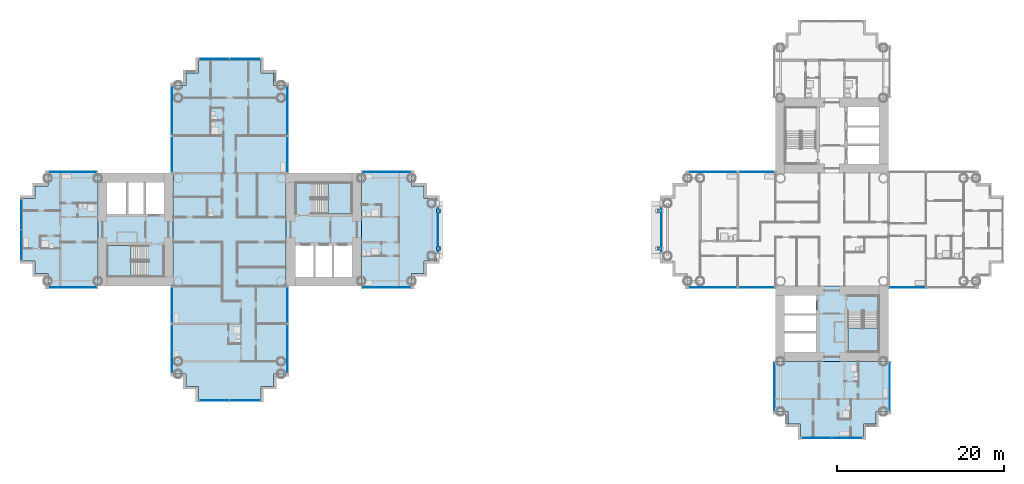
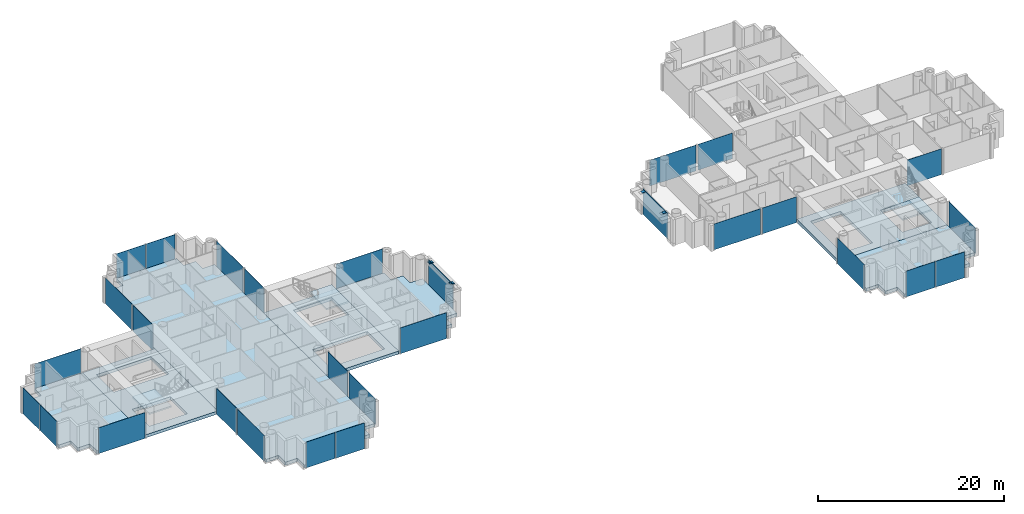
# One storey, part 7 of 22: 29 plates, 10 slabs, 6 members, 28 elements without a shape of their own.
"""IFC4 building model written with IfcOpenShell, lengths in metres."""

from ifc_helpers import new_model, si_unit, direction, frame, origin, origin_2d, place, context, subcontext, project, spatial, polyline, rectangle, outline, extrude, material, layer, layer_set, type_object, element, aggregate, save


model = new_model("IFC4")

# Units and contexts
model_context = context("Model", 3, precision=1e-05, world=origin(), true_north=direction((0.0, 1.0)))
body_context = subcontext(model_context, "Body", "Model", "MODEL_VIEW")
ifc_project = project(units=[si_unit("LENGTHUNIT", "METRE"), si_unit("AREAUNIT", "SQUARE_METRE"), si_unit("VOLUMEUNIT", "CUBIC_METRE"), si_unit("PLANEANGLEUNIT", "RADIAN"), si_unit("MASSUNIT", "GRAM", prefix="KILO")], contexts=[model_context])

# Site, building, storey
site_placement = place(None, origin())
site = spatial("IfcSite", under=ifc_project, at=site_placement, CompositionType="ELEMENT")
building_placement = place(site_placement, origin())
building = spatial("IfcBuilding", under=site, at=building_placement, Name="Ipe Terrace Towers", CompositionType="ELEMENT")
storey_placement = place(building_placement, frame((0.0, 0.0, 68.699951171875)))
storey = spatial("IfcBuildingStorey", under=building, at=storey_placement, Name="L18", CompositionType="ELEMENT", Elevation=68.699951171875)

# Members
ifc_material_1 = material(Name="Steel S355", Category="steel")
member_type_1 = type_object("IfcMemberType", Name="BRIDGE-FIXED BASE PLATE 500x450x20", PredefinedType="PLATE", material=ifc_material_1)
for number, where, z_axis, x_axis, name in (
    (1, (-11.050048828125, -2.25, 2.969970703125), (0.0, 0.0, 1.0), (1.0, 0.0, 0.0), "BR1-PL-T1-S base plate"),
    (2, (-11.050048828125, 2.25, 2.969970703125), (0.0, 0.0, 1.0), (1.0, 0.0, 0.0), "BR1-PL-T1-N base plate"),
):
    element("IfcMember", number, at=place(storey_placement, frame(where, z_axis=z_axis, x_axis=x_axis)), inside=storey, type_object=member_type_1, Name=name, PredefinedType="PLATE", context=body_context, shape_type="SweptSolid", body=[
        extrude(rectangle(XDim=0.5, YDim=0.449951171875, at=origin_2d()), origin(), (0.0, 0.0, 1.0), 0.02001953125),
    ])
ifc_material_2 = material(Name="Steel S355", Category="steel")
member_type_2 = type_object("IfcMemberType", Name="BRIDGE-FIXED BEARING pinned", PredefinedType="USERDEFINED", material=ifc_material_2)
for number, where, z_axis, x_axis, name in (
    (3, (-11.050048828125, -2.25, 2.989990234375), (0.0, 0.0, 1.0), (1.0, 0.0, 0.0), "FIXED BEARING (pinned)"),
    (4, (-11.050048828125, 2.25, 2.989990234375), (0.0, 0.0, 1.0), (1.0, 0.0, 0.0), "FIXED BEARING (pinned)"),
):
    element("IfcMember", number, at=place(storey_placement, frame(where, z_axis=z_axis, x_axis=x_axis)), inside=storey, type_object=member_type_2, Name=name, ObjectType="BEARING", PredefinedType="USERDEFINED", context=body_context, shape_type="SweptSolid", body=[
        extrude(rectangle(XDim=0.39990234375, YDim=0.39990234375, at=origin_2d()), origin(), (0.0, 0.0, 1.0), 0.06005859375),
    ])
ifc_material_3 = material(Name="Steel S355", Category="steel")
member_type_3 = type_object("IfcMemberType", Name="BRIDGE-SLIDING BEARING both ways", PredefinedType="USERDEFINED", material=ifc_material_3)
for number, where, z_axis, x_axis, name in (
    (5, (15.35009765625, -2.25, 2.989990234375), (0.0, 0.0, 1.0), (1.0, 0.0, 0.0), "SLIDING BEARING (slides both horizontal ways)"),
    (6, (15.35009765625, 2.25, 2.989990234375), (0.0, 0.0, 1.0), (1.0, 0.0, 0.0), "SLIDING BEARING (slides both horizontal ways)"),
):
    element("IfcMember", number, at=place(storey_placement, frame(where, z_axis=z_axis, x_axis=x_axis)), inside=storey, type_object=member_type_3, Name=name, ObjectType="BEARING", PredefinedType="USERDEFINED", context=body_context, shape_type="SweptSolid", body=[
        extrude(rectangle(XDim=0.39990234375, YDim=0.39990234375, at=origin_2d()), origin(), (0.0, 0.0, 1.0), 0.06005859375),
    ])

# Slabs
ifc_material_4 = material(Name="Concrete C30/37", Category="concrete")
ifc_layer_1 = layer(ifc_material_4, 0.39990234375)
ifc_layer_set_1 = layer_set([ifc_layer_1], Name="CORE FLOOR SLAB 400 C30-37")
slab_type_1 = type_object("IfcSlabType", Name="CORE FLOOR SLAB 400 C30-37", PredefinedType="FLOOR", material=ifc_layer_set_1)
slab_1_placement = place(storey_placement, frame((0.0, 0.0, -0.39990234375)))
element("IfcSlab", 7, at=slab_1_placement, inside=storey, type_object=slab_type_1, Name="Core floor T1-C1", PredefinedType="FLOOR", context=body_context, shape_type="SweptSolid", body=[
    extrude(outline(polyline([(-29.25, -6.75), (-29.25, 6.75), (-20.25, 6.75), (-20.25, -6.75), (-29.25, -6.75)]), holes=[polyline([(-28.14990234375, -5.64990234375), (-21.35009765625, -5.64990234375), (-21.35009765625, -1.89990234375), (-28.14990234375, -1.89990234375), (-28.14990234375, -5.64990234375)]), polyline([(-26.199951171875, 5.550048828125), (-26.199951171875, 1.89990234375), (-21.449951171875, 1.89990234375), (-21.449951171875, 5.550048828125), (-26.199951171875, 5.550048828125)])]), origin(), (0.0, 0.0, 1.0), 0.39990234375),
])
slab_2_placement = place(storey_placement, frame((0.0, 0.0, -0.39990234375)))
element("IfcSlab", 8, at=slab_2_placement, inside=storey, type_object=slab_type_1, Name="Core floor T1-C2", PredefinedType="FLOOR", context=body_context, shape_type="SweptSolid", body=[
    extrude(outline(polyline([(-51.75, -6.75), (-51.75, 6.75), (-42.75, 6.75), (-42.75, -6.75), (-51.75, -6.75)]), holes=[polyline([(-45.800048828125, -5.550048828125), (-45.800048828125, -1.89990234375), (-50.550048828125, -1.89990234375), (-50.550048828125, -5.550048828125), (-45.800048828125, -5.550048828125)]), polyline([(-50.64990234375, 1.89990234375), (-43.85009765625, 1.89990234375), (-43.85009765625, 5.64990234375), (-50.64990234375, 5.64990234375), (-50.64990234375, 1.89990234375)])]), origin(), (0.0, 0.0, 1.0), 0.39990234375),
])
slab_3_placement = place(storey_placement, frame((0.0, 0.0, -0.39990234375)))
element("IfcSlab", 9, at=slab_3_placement, inside=storey, type_object=slab_type_1, Name="Core floor T2-C2", PredefinedType="FLOOR", context=body_context, shape_type="SweptSolid", body=[
    extrude(outline(polyline([(29.25, -15.75), (29.25, -6.75), (42.75, -6.75), (42.75, -15.75), (29.25, -15.75)]), holes=[polyline([(34.10009765625, -14.64990234375), (34.10009765625, -7.85009765625), (30.35009765625, -7.85009765625), (30.35009765625, -14.64990234375), (34.10009765625, -14.64990234375)]), polyline([(41.550048828125, -9.800048828125), (37.89990234375, -9.800048828125), (37.89990234375, -14.550048828125), (41.550048828125, -14.550048828125), (41.550048828125, -9.800048828125)])]), origin(), (0.0, 0.0, 1.0), 0.39990234375),
])

# Stair, slab
ifc_material_5 = material(Name="Concrete C30/37", Category="concrete")
stair_type = type_object("IfcStairType", Name="Protected exit stair", PredefinedType="HALF_TURN_STAIR", material=ifc_material_5)
stair_1_placement = place(storey_placement, origin())
stair_1 = element("IfcStair", 10, at=stair_1_placement, inside=storey, type_object=stair_type, Name="L18 Exit stair T1-C1", PredefinedType="HALF_TURN_STAIR")
ifc_material_6 = material(Name="Concrete C30/37", Category="concrete")
ifc_layer_2 = layer(ifc_material_6, 0.199951171875)
ifc_layer_set_2 = layer_set([ifc_layer_2], Name="Exit stair landing 200")
slab_type_2 = type_object("IfcSlabType", Name="Exit stair landing 200", PredefinedType="LANDING", material=ifc_layer_set_2)
slab_4_placement = place(storey_placement, frame((0.0, 0.0, 1.5)))
slab_4 = element("IfcSlab", 11, at=slab_4_placement, type_object=slab_type_2, Name="T1-ST1 landing 1", PredefinedType="LANDING", context=body_context, shape_type="SweptSolid", body=[
    extrude(outline(polyline([(-24.219970703125, 1.89990234375), (-21.449951171875, 1.89990234375), (-21.449951171875, 5.550048828125), (-24.219970703125, 5.550048828125), (-24.219970703125, 1.89990234375)])), origin(), (0.0, 0.0, 1.0), 0.199951171875),
])
aggregate(stair_1, [slab_4])

stair_2_placement = place(storey_placement, origin())
stair_2 = element("IfcStair", 12, at=stair_2_placement, inside=storey, type_object=stair_type, Name="L18 Exit stair T1-C2", PredefinedType="HALF_TURN_STAIR")
slab_5_placement = place(storey_placement, frame((0.0, 0.0, 1.5)))
slab_5 = element("IfcSlab", 13, at=slab_5_placement, type_object=slab_type_2, Name="T1-ST2 landing 1", PredefinedType="LANDING", context=body_context, shape_type="SweptSolid", body=[
    extrude(outline(polyline([(-47.780029296875, -1.89990234375), (-50.550048828125, -1.89990234375), (-50.550048828125, -5.550048828125), (-47.780029296875, -5.550048828125), (-47.780029296875, -1.89990234375)])), origin(), (0.0, 0.0, 1.0), 0.199951171875),
])
aggregate(stair_2, [slab_5])

stair_3_placement = place(storey_placement, origin())
stair_3 = element("IfcStair", 14, at=stair_3_placement, inside=storey, type_object=stair_type, Name="L18 Exit stair T2-C2", PredefinedType="HALF_TURN_STAIR")
slab_6_placement = place(storey_placement, frame((0.0, 0.0, 1.5)))
slab_6 = element("IfcSlab", 15, at=slab_6_placement, type_object=slab_type_2, Name="T2-ST2 landing 1", PredefinedType="LANDING", context=body_context, shape_type="SweptSolid", body=[
    extrude(outline(polyline([(37.89990234375, -11.780029296875), (37.89990234375, -14.550048828125), (41.550048828125, -14.550048828125), (41.550048828125, -11.780029296875), (37.89990234375, -11.780029296875)])), origin(), (0.0, 0.0, 1.0), 0.199951171875),
])
aggregate(stair_3, [slab_6])

# Slabs
ifc_material_7 = material(Name="Concrete C40/50", Category="concrete")
ifc_layer_3 = layer(ifc_material_7, 0.39990234375)
ifc_layer_set_3 = layer_set([ifc_layer_3], Name="FLAT PLATE SLAB 400 C40-50")
slab_type_3 = type_object("IfcSlabType", Name="FLAT PLATE SLAB 400 C40-50", PredefinedType="FLOOR", material=ifc_layer_set_3)
slab_7_placement = place(storey_placement, frame((0.0, 0.0, -0.39990234375)))
element("IfcSlab", 16, at=slab_7_placement, inside=storey, type_object=slab_type_3, Name="Slab T1-FS-Z11", PredefinedType="FLOOR", context=body_context, shape_type="SweptSolid", body=[
    extrude(outline(polyline([(-30.75, -17.25), (-30.75, -18.75), (-32.25, -18.75), (-32.25, -20.25), (-39.75, -20.25), (-39.75, -18.75), (-41.25, -18.75), (-41.25, -17.25), (-42.75, -17.25), (-42.75, -6.75), (-42.75, 6.75), (-42.75, 17.25), (-41.25, 17.25), (-41.25, 18.75), (-39.75, 18.75), (-39.75, 20.25), (-32.25, 20.25), (-32.25, 18.75), (-30.75, 18.75), (-30.75, 17.25), (-29.25, 17.25), (-29.25, 6.75), (-29.25, -6.75), (-29.25, -17.25), (-30.75, -17.25)])), origin(), (0.0, 0.0, 1.0), 0.39990234375),
])
slab_8_placement = place(storey_placement, frame((0.0, 0.0, -0.39990234375)))
element("IfcSlab", 17, at=slab_8_placement, inside=storey, type_object=slab_type_3, Name="Slab T1-FS-Z12", PredefinedType="FLOOR", context=body_context, shape_type="SweptSolid", body=[
    extrude(outline(polyline([(-57.75, -6.75), (-57.75, -5.25), (-59.25, -5.25), (-59.25, -3.75), (-60.75, -3.75), (-60.75, 3.75), (-59.25, 3.75), (-59.25, 5.25), (-57.75, 5.25), (-57.75, 6.75), (-51.75, 6.75), (-51.75, -6.75), (-57.75, -6.75)])), origin(), (0.0, 0.0, 1.0), 0.39990234375),
])
slab_9_placement = place(storey_placement, frame((0.0, 0.0, -0.39990234375)))
element("IfcSlab", 18, at=slab_9_placement, inside=storey, type_object=slab_type_3, Name="Slab T1-FS-Z13", PredefinedType="FLOOR", context=body_context, shape_type="SweptSolid", body=[
    extrude(outline(polyline([(-14.25, 5.25), (-12.75, 5.25), (-12.75, 3.75), (-11.25, 3.75), (-11.25, -3.75), (-12.75, -3.75), (-12.75, -5.25), (-14.25, -5.25), (-14.25, -6.75), (-20.25, -6.75), (-20.25, 6.75), (-14.25, 6.75), (-14.25, 5.25)])), origin(), (0.0, 0.0, 1.0), 0.39990234375),
])
slab_10_placement = place(storey_placement, frame((0.0, 0.0, -0.39990234375)))
element("IfcSlab", 19, at=slab_10_placement, inside=storey, type_object=slab_type_3, Name="Slab T2-FS-Z12", PredefinedType="FLOOR", context=body_context, shape_type="SweptSolid", body=[
    extrude(outline(polyline([(42.75, -21.75), (41.25, -21.75), (41.25, -23.25), (39.75, -23.25), (39.75, -24.75), (32.25, -24.75), (32.25, -23.25), (30.75, -23.25), (30.75, -21.75), (29.25, -21.75), (29.25, -15.75), (42.75, -15.75), (42.75, -21.75)])), origin(), (0.0, 0.0, 1.0), 0.39990234375),
])

# Curtain wall, plate
ifc_material_8 = material(Name="Aluminium alloy 6063-T6", Category="aluminium")
ifc_layer_4 = layer(ifc_material_8, 0.320068359375)
ifc_layer_set_4 = layer_set([ifc_layer_4], Name="TOWER UNITISED CURTAIN WALL")
curtain_wall_type = type_object("IfcCurtainWallType", Name="TOWER UNITISED CURTAIN WALL", PredefinedType="NOTDEFINED", material=ifc_layer_set_4)
curtain_wall_1_placement = place(storey_placement, origin())
curtain_wall_1 = element("IfcCurtainWall", 20, at=curtain_wall_1_placement, inside=storey, type_object=curtain_wall_type, Name="T1-CW-L18-04a curtain wall", PredefinedType="NOTDEFINED")
ifc_material_9 = material(Name="Glass, clear laminated", Category="glass")
ifc_layer_5 = layer(ifc_material_9, 0.031982421875)
ifc_layer_set_5 = layer_set([ifc_layer_5], Name="TOWER UNITISED GLASS PANEL 32")
plate_type = type_object("IfcPlateType", Name="TOWER UNITISED GLASS PANEL 32", PredefinedType="CURTAIN_PANEL", material=ifc_layer_set_5)
plate_1_placement = place(storey_placement, frame((-54.75048828125, -6.909912109375, -0.2998046875), z_axis=(0.0, 0.0, 1.0), x_axis=(1.0, 0.0, 0.0)))
plate_1 = element("IfcPlate", 21, at=plate_1_placement, type_object=plate_type, Name="T1-CW-L18-04a panel 1", PredefinedType="CURTAIN_PANEL", context=body_context, shape_type="SweptSolid", body=[
    extrude(rectangle(XDim=5.759033203125, YDim=0.031982421875, at=origin_2d()), origin(), (0.0, 0.0, 1.0), 3.39990234375),
])
aggregate(curtain_wall_1, [plate_1])

curtain_wall_2_placement = place(storey_placement, origin())
curtain_wall_2 = element("IfcCurtainWall", 22, at=curtain_wall_2_placement, inside=storey, type_object=curtain_wall_type, Name="T1-CW-L18-06a curtain wall", PredefinedType="NOTDEFINED")
plate_2_placement = place(storey_placement, frame((-42.909912109375, -9.0, -0.2998046875), z_axis=(0.0, 0.0, 1.0), x_axis=(0.0, -1.0, 0.0)))
plate_2 = element("IfcPlate", 23, at=plate_2_placement, type_object=plate_type, Name="T1-CW-L18-06a panel 1", PredefinedType="CURTAIN_PANEL", context=body_context, shape_type="SweptSolid", body=[
    extrude(rectangle(XDim=4.260009765625, YDim=0.031982421875, at=origin_2d()), origin(), (0.0, 0.0, 1.0), 3.39990234375),
])
aggregate(curtain_wall_2, [plate_2])

curtain_wall_3_placement = place(storey_placement, origin())
curtain_wall_3 = element("IfcCurtainWall", 24, at=curtain_wall_3_placement, inside=storey, type_object=curtain_wall_type, Name="T1-CW-L18-07a curtain wall", PredefinedType="NOTDEFINED")
plate_3_placement = place(storey_placement, frame((-42.909912109375, -14.25, -0.2998046875), z_axis=(0.0, 0.0, 1.0), x_axis=(0.0, -1.0, 0.0)))
plate_3 = element("IfcPlate", 25, at=plate_3_placement, type_object=plate_type, Name="T1-CW-L18-07a panel 1", PredefinedType="CURTAIN_PANEL", context=body_context, shape_type="SweptSolid", body=[
    extrude(rectangle(XDim=5.760009765625, YDim=0.031982421875, at=origin_2d()), origin(), (0.0, 0.0, 1.0), 3.39990234375),
])
aggregate(curtain_wall_3, [plate_3])

# Curtain wall, plates
curtain_wall_4_placement = place(storey_placement, origin())
curtain_wall_4 = element("IfcCurtainWall", 26, at=curtain_wall_4_placement, inside=storey, type_object=curtain_wall_type, Name="T1-CW-L18-12a curtain wall", PredefinedType="NOTDEFINED")
plate_4_placement = place(storey_placement, frame((-37.831298828125, -20.409912109375, -0.2998046875), z_axis=(0.0, 0.0, 1.0), x_axis=(1.0, 0.0, 0.0)))
plate_4 = element("IfcPlate", 27, at=plate_4_placement, type_object=plate_type, Name="T1-CW-L18-12a panel 1", PredefinedType="CURTAIN_PANEL", context=body_context, shape_type="SweptSolid", body=[
    extrude(rectangle(XDim=3.597412109375, YDim=0.031982421875, at=origin_2d()), origin(), (0.0, 0.0, 1.0), 3.39990234375),
])
plate_5_placement = place(storey_placement, frame((-34.168701171875, -20.409912109375, -0.2998046875), z_axis=(0.0, 0.0, 1.0), x_axis=(1.0, 0.0, 0.0)))
plate_5 = element("IfcPlate", 28, at=plate_5_placement, type_object=plate_type, Name="T1-CW-L18-12a panel 2", PredefinedType="CURTAIN_PANEL", context=body_context, shape_type="SweptSolid", body=[
    extrude(rectangle(XDim=3.597412109375, YDim=0.031982421875, at=origin_2d()), origin(), (0.0, 0.0, 1.0), 3.39990234375),
])
aggregate(curtain_wall_4, [plate_4, plate_5])

# Curtain wall, plate
curtain_wall_5_placement = place(storey_placement, origin())
curtain_wall_5 = element("IfcCurtainWall", 29, at=curtain_wall_5_placement, inside=storey, type_object=curtain_wall_type, Name="T1-CW-L18-17a curtain wall", PredefinedType="NOTDEFINED")
plate_6_placement = place(storey_placement, frame((-29.090087890625, -14.25, -0.2998046875), z_axis=(0.0, 0.0, 1.0), x_axis=(0.0, 1.0, 0.0)))
plate_6 = element("IfcPlate", 30, at=plate_6_placement, type_object=plate_type, Name="T1-CW-L18-17a panel 1", PredefinedType="CURTAIN_PANEL", context=body_context, shape_type="SweptSolid", body=[
    extrude(rectangle(XDim=5.760009765625, YDim=0.031982421875, at=origin_2d()), origin(), (0.0, 0.0, 1.0), 3.39990234375),
])
aggregate(curtain_wall_5, [plate_6])

curtain_wall_6_placement = place(storey_placement, origin())
curtain_wall_6 = element("IfcCurtainWall", 31, at=curtain_wall_6_placement, inside=storey, type_object=curtain_wall_type, Name="T1-CW-L18-18a curtain wall", PredefinedType="NOTDEFINED")
plate_7_placement = place(storey_placement, frame((-29.090087890625, -9.0, -0.2998046875), z_axis=(0.0, 0.0, 1.0), x_axis=(0.0, 1.0, 0.0)))
plate_7 = element("IfcPlate", 32, at=plate_7_placement, type_object=plate_type, Name="T1-CW-L18-18a panel 1", PredefinedType="CURTAIN_PANEL", context=body_context, shape_type="SweptSolid", body=[
    extrude(rectangle(XDim=4.260009765625, YDim=0.031982421875, at=origin_2d()), origin(), (0.0, 0.0, 1.0), 3.39990234375),
])
aggregate(curtain_wall_6, [plate_7])

curtain_wall_7_placement = place(storey_placement, origin())
curtain_wall_7 = element("IfcCurtainWall", 33, at=curtain_wall_7_placement, inside=storey, type_object=curtain_wall_type, Name="T1-CW-L18-20b curtain wall", PredefinedType="NOTDEFINED")
plate_8_placement = place(storey_placement, frame((-17.24951171875, -6.909912109375, -0.2998046875), z_axis=(0.0, 0.0, 1.0), x_axis=(1.0, 0.0, 0.0)))
plate_8 = element("IfcPlate", 34, at=plate_8_placement, type_object=plate_type, Name="T1-CW-L18-20b panel 1", PredefinedType="CURTAIN_PANEL", context=body_context, shape_type="SweptSolid", body=[
    extrude(rectangle(XDim=5.759033203125, YDim=0.031982421875, at=origin_2d()), origin(), (0.0, 0.0, 1.0), 3.39990234375),
])
aggregate(curtain_wall_7, [plate_8])

curtain_wall_8_placement = place(storey_placement, origin())
curtain_wall_8 = element("IfcCurtainWall", 35, at=curtain_wall_8_placement, inside=storey, type_object=curtain_wall_type, Name="T1-CW-L18-25d curtain wall", PredefinedType="NOTDEFINED")
plate_9_placement = place(storey_placement, frame((-11.090087890625, 0.0, -0.2998046875), z_axis=(0.0, 0.0, 1.0), x_axis=(0.0, 1.0, 0.0)))
plate_9 = element("IfcPlate", 36, at=plate_9_placement, type_object=plate_type, Name="T1-CW-L18-25d panel 1", PredefinedType="CURTAIN_PANEL", context=body_context, shape_type="SweptSolid", body=[
    extrude(rectangle(XDim=5.360107421875, YDim=0.031982421875, at=origin_2d()), origin(), (0.0, 0.0, 1.0), 3.39990234375),
])
aggregate(curtain_wall_8, [plate_9])

curtain_wall_9_placement = place(storey_placement, origin())
curtain_wall_9 = element("IfcCurtainWall", 37, at=curtain_wall_9_placement, inside=storey, type_object=curtain_wall_type, Name="T1-CW-L18-30a curtain wall", PredefinedType="NOTDEFINED")
plate_10_placement = place(storey_placement, frame((-17.24951171875, 6.909912109375, -0.2998046875), z_axis=(0.0, 0.0, 1.0), x_axis=(-1.0, 0.0, 0.0)))
plate_10 = element("IfcPlate", 38, at=plate_10_placement, type_object=plate_type, Name="T1-CW-L18-30a panel 1", PredefinedType="CURTAIN_PANEL", context=body_context, shape_type="SweptSolid", body=[
    extrude(rectangle(XDim=5.759033203125, YDim=0.031982421875, at=origin_2d()), origin(), (0.0, 0.0, 1.0), 3.39990234375),
])
aggregate(curtain_wall_9, [plate_10])

curtain_wall_10_placement = place(storey_placement, origin())
curtain_wall_10 = element("IfcCurtainWall", 39, at=curtain_wall_10_placement, inside=storey, type_object=curtain_wall_type, Name="T1-CW-L18-32a curtain wall", PredefinedType="NOTDEFINED")
plate_11_placement = place(storey_placement, frame((-29.090087890625, 9.0, -0.2998046875), z_axis=(0.0, 0.0, 1.0), x_axis=(0.0, 1.0, 0.0)))
plate_11 = element("IfcPlate", 40, at=plate_11_placement, type_object=plate_type, Name="T1-CW-L18-32a panel 1", PredefinedType="CURTAIN_PANEL", context=body_context, shape_type="SweptSolid", body=[
    extrude(rectangle(XDim=4.260009765625, YDim=0.031982421875, at=origin_2d()), origin(), (0.0, 0.0, 1.0), 3.39990234375),
])
aggregate(curtain_wall_10, [plate_11])

curtain_wall_11_placement = place(storey_placement, origin())
curtain_wall_11 = element("IfcCurtainWall", 41, at=curtain_wall_11_placement, inside=storey, type_object=curtain_wall_type, Name="T1-CW-L18-33a curtain wall", PredefinedType="NOTDEFINED")
plate_12_placement = place(storey_placement, frame((-29.090087890625, 14.25, -0.2998046875), z_axis=(0.0, 0.0, 1.0), x_axis=(0.0, 1.0, 0.0)))
plate_12 = element("IfcPlate", 42, at=plate_12_placement, type_object=plate_type, Name="T1-CW-L18-33a panel 1", PredefinedType="CURTAIN_PANEL", context=body_context, shape_type="SweptSolid", body=[
    extrude(rectangle(XDim=5.760009765625, YDim=0.031982421875, at=origin_2d()), origin(), (0.0, 0.0, 1.0), 3.39990234375),
])
aggregate(curtain_wall_11, [plate_12])

# Curtain wall, plates
curtain_wall_12_placement = place(storey_placement, origin())
curtain_wall_12 = element("IfcCurtainWall", 43, at=curtain_wall_12_placement, inside=storey, type_object=curtain_wall_type, Name="T1-CW-L18-38a curtain wall", PredefinedType="NOTDEFINED")
plate_13_placement = place(storey_placement, frame((-34.168701171875, 20.409912109375, -0.2998046875), z_axis=(0.0, 0.0, 1.0), x_axis=(-1.0, 0.0, 0.0)))
plate_13 = element("IfcPlate", 44, at=plate_13_placement, type_object=plate_type, Name="T1-CW-L18-38a panel 1", PredefinedType="CURTAIN_PANEL", context=body_context, shape_type="SweptSolid", body=[
    extrude(rectangle(XDim=3.597412109375, YDim=0.031982421875, at=origin_2d()), origin(), (0.0, 0.0, 1.0), 3.39990234375),
])
plate_14_placement = place(storey_placement, frame((-37.831298828125, 20.409912109375, -0.2998046875), z_axis=(0.0, 0.0, 1.0), x_axis=(-1.0, 0.0, 0.0)))
plate_14 = element("IfcPlate", 45, at=plate_14_placement, type_object=plate_type, Name="T1-CW-L18-38a panel 2", PredefinedType="CURTAIN_PANEL", context=body_context, shape_type="SweptSolid", body=[
    extrude(rectangle(XDim=3.597412109375, YDim=0.031982421875, at=origin_2d()), origin(), (0.0, 0.0, 1.0), 3.39990234375),
])
aggregate(curtain_wall_12, [plate_13, plate_14])

# Curtain wall, plate
curtain_wall_13_placement = place(storey_placement, origin())
curtain_wall_13 = element("IfcCurtainWall", 46, at=curtain_wall_13_placement, inside=storey, type_object=curtain_wall_type, Name="T1-CW-L18-43a curtain wall", PredefinedType="NOTDEFINED")
plate_15_placement = place(storey_placement, frame((-42.909912109375, 14.25, -0.2998046875), z_axis=(0.0, 0.0, 1.0), x_axis=(0.0, -1.0, 0.0)))
plate_15 = element("IfcPlate", 47, at=plate_15_placement, type_object=plate_type, Name="T1-CW-L18-43a panel 1", PredefinedType="CURTAIN_PANEL", context=body_context, shape_type="SweptSolid", body=[
    extrude(rectangle(XDim=5.760009765625, YDim=0.031982421875, at=origin_2d()), origin(), (0.0, 0.0, 1.0), 3.39990234375),
])
aggregate(curtain_wall_13, [plate_15])

curtain_wall_14_placement = place(storey_placement, origin())
curtain_wall_14 = element("IfcCurtainWall", 48, at=curtain_wall_14_placement, inside=storey, type_object=curtain_wall_type, Name="T1-CW-L18-44a curtain wall", PredefinedType="NOTDEFINED")
plate_16_placement = place(storey_placement, frame((-42.909912109375, 9.0, -0.2998046875), z_axis=(0.0, 0.0, 1.0), x_axis=(0.0, -1.0, 0.0)))
plate_16 = element("IfcPlate", 49, at=plate_16_placement, type_object=plate_type, Name="T1-CW-L18-44a panel 1", PredefinedType="CURTAIN_PANEL", context=body_context, shape_type="SweptSolid", body=[
    extrude(rectangle(XDim=4.260009765625, YDim=0.031982421875, at=origin_2d()), origin(), (0.0, 0.0, 1.0), 3.39990234375),
])
aggregate(curtain_wall_14, [plate_16])

curtain_wall_15_placement = place(storey_placement, origin())
curtain_wall_15 = element("IfcCurtainWall", 50, at=curtain_wall_15_placement, inside=storey, type_object=curtain_wall_type, Name="T1-CW-L18-46b curtain wall", PredefinedType="NOTDEFINED")
plate_17_placement = place(storey_placement, frame((-54.75048828125, 6.909912109375, -0.2998046875), z_axis=(0.0, 0.0, 1.0), x_axis=(-1.0, 0.0, 0.0)))
plate_17 = element("IfcPlate", 51, at=plate_17_placement, type_object=plate_type, Name="T1-CW-L18-46b panel 1", PredefinedType="CURTAIN_PANEL", context=body_context, shape_type="SweptSolid", body=[
    extrude(rectangle(XDim=5.759033203125, YDim=0.031982421875, at=origin_2d()), origin(), (0.0, 0.0, 1.0), 3.39990234375),
])
aggregate(curtain_wall_15, [plate_17])

# Curtain wall, plates
curtain_wall_16_placement = place(storey_placement, origin())
curtain_wall_16 = element("IfcCurtainWall", 52, at=curtain_wall_16_placement, inside=storey, type_object=curtain_wall_type, Name="T1-CW-L18-51a curtain wall", PredefinedType="NOTDEFINED")
plate_18_placement = place(storey_placement, frame((-60.909912109375, 1.831298828125, -0.2998046875), z_axis=(0.0, 0.0, 1.0), x_axis=(0.0, -1.0, 0.0)))
plate_18 = element("IfcPlate", 53, at=plate_18_placement, type_object=plate_type, Name="T1-CW-L18-51a panel 1", PredefinedType="CURTAIN_PANEL", context=body_context, shape_type="SweptSolid", body=[
    extrude(rectangle(XDim=3.597412109375, YDim=0.031982421875, at=origin_2d()), origin(), (0.0, 0.0, 1.0), 3.39990234375),
])
plate_19_placement = place(storey_placement, frame((-60.909912109375, -1.831298828125, -0.2998046875), z_axis=(0.0, 0.0, 1.0), x_axis=(0.0, -1.0, 0.0)))
plate_19 = element("IfcPlate", 54, at=plate_19_placement, type_object=plate_type, Name="T1-CW-L18-51a panel 2", PredefinedType="CURTAIN_PANEL", context=body_context, shape_type="SweptSolid", body=[
    extrude(rectangle(XDim=3.597412109375, YDim=0.031982421875, at=origin_2d()), origin(), (0.0, 0.0, 1.0), 3.39990234375),
])
aggregate(curtain_wall_16, [plate_18, plate_19])

# Curtain wall, plate
curtain_wall_17_placement = place(storey_placement, origin())
curtain_wall_17 = element("IfcCurtainWall", 55, at=curtain_wall_17_placement, inside=storey, type_object=curtain_wall_type, Name="T2-CW-L18-04a curtain wall", PredefinedType="NOTDEFINED")
plate_20_placement = place(storey_placement, frame((42.909912109375, -18.75048828125, -0.2998046875), z_axis=(0.0, 0.0, 1.0), x_axis=(0.0, 1.0, 0.0)))
plate_20 = element("IfcPlate", 56, at=plate_20_placement, type_object=plate_type, Name="T2-CW-L18-04a panel 1", PredefinedType="CURTAIN_PANEL", context=body_context, shape_type="SweptSolid", body=[
    extrude(rectangle(XDim=5.759033203125, YDim=0.031982421875, at=origin_2d()), origin(), (0.0, 0.0, 1.0), 3.39990234375),
])
aggregate(curtain_wall_17, [plate_20])

curtain_wall_18_placement = place(storey_placement, origin())
curtain_wall_18 = element("IfcCurtainWall", 57, at=curtain_wall_18_placement, inside=storey, type_object=curtain_wall_type, Name="T2-CW-L18-06a curtain wall", PredefinedType="NOTDEFINED")
plate_21_placement = place(storey_placement, frame((45.0, -6.909912109375, -0.2998046875), z_axis=(0.0, 0.0, 1.0), x_axis=(1.0, 0.0, 0.0)))
plate_21 = element("IfcPlate", 58, at=plate_21_placement, type_object=plate_type, Name="T2-CW-L18-06a panel 1", PredefinedType="CURTAIN_PANEL", context=body_context, shape_type="SweptSolid", body=[
    extrude(rectangle(XDim=4.260009765625, YDim=0.031982421875, at=origin_2d()), origin(), (0.0, 0.0, 1.0), 3.39990234375),
])
aggregate(curtain_wall_18, [plate_21])

curtain_wall_19_placement = place(storey_placement, origin())
curtain_wall_19 = element("IfcCurtainWall", 59, at=curtain_wall_19_placement, inside=storey, type_object=curtain_wall_type, Name="T2-CW-L18-32a curtain wall", PredefinedType="NOTDEFINED")
plate_22_placement = place(storey_placement, frame((27.0, 6.909912109375, -0.2998046875), z_axis=(0.0, 0.0, 1.0), x_axis=(-1.0, 0.0, 0.0)))
plate_22 = element("IfcPlate", 60, at=plate_22_placement, type_object=plate_type, Name="T2-CW-L18-32a panel 1", PredefinedType="CURTAIN_PANEL", context=body_context, shape_type="SweptSolid", body=[
    extrude(rectangle(XDim=4.260009765625, YDim=0.031982421875, at=origin_2d()), origin(), (0.0, 0.0, 1.0), 3.39990234375),
])
aggregate(curtain_wall_19, [plate_22])

curtain_wall_20_placement = place(storey_placement, origin())
curtain_wall_20 = element("IfcCurtainWall", 61, at=curtain_wall_20_placement, inside=storey, type_object=curtain_wall_type, Name="T2-CW-L18-33a curtain wall", PredefinedType="NOTDEFINED")
plate_23_placement = place(storey_placement, frame((21.75, 6.909912109375, -0.2998046875), z_axis=(0.0, 0.0, 1.0), x_axis=(-1.0, 0.0, 0.0)))
plate_23 = element("IfcPlate", 62, at=plate_23_placement, type_object=plate_type, Name="T2-CW-L18-33a panel 1", PredefinedType="CURTAIN_PANEL", context=body_context, shape_type="SweptSolid", body=[
    extrude(rectangle(XDim=5.760009765625, YDim=0.031982421875, at=origin_2d()), origin(), (0.0, 0.0, 1.0), 3.39990234375),
])
aggregate(curtain_wall_20, [plate_23])

curtain_wall_21_placement = place(storey_placement, origin())
curtain_wall_21 = element("IfcCurtainWall", 63, at=curtain_wall_21_placement, inside=storey, type_object=curtain_wall_type, Name="T2-CW-L18-38d curtain wall", PredefinedType="NOTDEFINED")
plate_24_placement = place(storey_placement, frame((15.590087890625, 0.0, -0.2998046875), z_axis=(0.0, 0.0, 1.0), x_axis=(0.0, -1.0, 0.0)))
plate_24 = element("IfcPlate", 64, at=plate_24_placement, type_object=plate_type, Name="T2-CW-L18-38d panel 1", PredefinedType="CURTAIN_PANEL", context=body_context, shape_type="SweptSolid", body=[
    extrude(rectangle(XDim=5.360107421875, YDim=0.031982421875, at=origin_2d()), origin(), (0.0, 0.0, 1.0), 3.39990234375),
])
aggregate(curtain_wall_21, [plate_24])

curtain_wall_22_placement = place(storey_placement, origin())
curtain_wall_22 = element("IfcCurtainWall", 65, at=curtain_wall_22_placement, inside=storey, type_object=curtain_wall_type, Name="T2-CW-L18-43a curtain wall", PredefinedType="NOTDEFINED")
plate_25_placement = place(storey_placement, frame((21.75, -6.909912109375, -0.2998046875), z_axis=(0.0, 0.0, 1.0), x_axis=(1.0, 0.0, 0.0)))
plate_25 = element("IfcPlate", 66, at=plate_25_placement, type_object=plate_type, Name="T2-CW-L18-43a panel 1", PredefinedType="CURTAIN_PANEL", context=body_context, shape_type="SweptSolid", body=[
    extrude(rectangle(XDim=5.760009765625, YDim=0.031982421875, at=origin_2d()), origin(), (0.0, 0.0, 1.0), 3.39990234375),
])
aggregate(curtain_wall_22, [plate_25])

curtain_wall_23_placement = place(storey_placement, origin())
curtain_wall_23 = element("IfcCurtainWall", 67, at=curtain_wall_23_placement, inside=storey, type_object=curtain_wall_type, Name="T2-CW-L18-44a curtain wall", PredefinedType="NOTDEFINED")
plate_26_placement = place(storey_placement, frame((27.0, -6.909912109375, -0.2998046875), z_axis=(0.0, 0.0, 1.0), x_axis=(1.0, 0.0, 0.0)))
plate_26 = element("IfcPlate", 68, at=plate_26_placement, type_object=plate_type, Name="T2-CW-L18-44a panel 1", PredefinedType="CURTAIN_PANEL", context=body_context, shape_type="SweptSolid", body=[
    extrude(rectangle(XDim=4.260009765625, YDim=0.031982421875, at=origin_2d()), origin(), (0.0, 0.0, 1.0), 3.39990234375),
])
aggregate(curtain_wall_23, [plate_26])

curtain_wall_24_placement = place(storey_placement, origin())
curtain_wall_24 = element("IfcCurtainWall", 69, at=curtain_wall_24_placement, inside=storey, type_object=curtain_wall_type, Name="T2-CW-L18-46b curtain wall", PredefinedType="NOTDEFINED")
plate_27_placement = place(storey_placement, frame((29.090087890625, -18.75048828125, -0.2998046875), z_axis=(0.0, 0.0, 1.0), x_axis=(0.0, -1.0, 0.0)))
plate_27 = element("IfcPlate", 70, at=plate_27_placement, type_object=plate_type, Name="T2-CW-L18-46b panel 1", PredefinedType="CURTAIN_PANEL", context=body_context, shape_type="SweptSolid", body=[
    extrude(rectangle(XDim=5.759033203125, YDim=0.031982421875, at=origin_2d()), origin(), (0.0, 0.0, 1.0), 3.39990234375),
])
aggregate(curtain_wall_24, [plate_27])

# Curtain wall, plates
curtain_wall_25_placement = place(storey_placement, origin())
curtain_wall_25 = element("IfcCurtainWall", 71, at=curtain_wall_25_placement, inside=storey, type_object=curtain_wall_type, Name="T2-CW-L18-51a curtain wall", PredefinedType="NOTDEFINED")
plate_28_placement = place(storey_placement, frame((34.168701171875, -24.909912109375, -0.2998046875), z_axis=(0.0, 0.0, 1.0), x_axis=(1.0, 0.0, 0.0)))
plate_28 = element("IfcPlate", 72, at=plate_28_placement, type_object=plate_type, Name="T2-CW-L18-51a panel 1", PredefinedType="CURTAIN_PANEL", context=body_context, shape_type="SweptSolid", body=[
    extrude(rectangle(XDim=3.597412109375, YDim=0.031982421875, at=origin_2d()), origin(), (0.0, 0.0, 1.0), 3.39990234375),
])
plate_29_placement = place(storey_placement, frame((37.831298828125, -24.909912109375, -0.2998046875), z_axis=(0.0, 0.0, 1.0), x_axis=(1.0, 0.0, 0.0)))
plate_29 = element("IfcPlate", 73, at=plate_29_placement, type_object=plate_type, Name="T2-CW-L18-51a panel 2", PredefinedType="CURTAIN_PANEL", context=body_context, shape_type="SweptSolid", body=[
    extrude(rectangle(XDim=3.597412109375, YDim=0.031982421875, at=origin_2d()), origin(), (0.0, 0.0, 1.0), 3.39990234375),
])
aggregate(curtain_wall_25, [plate_28, plate_29])

save(model, "model.ifc")
